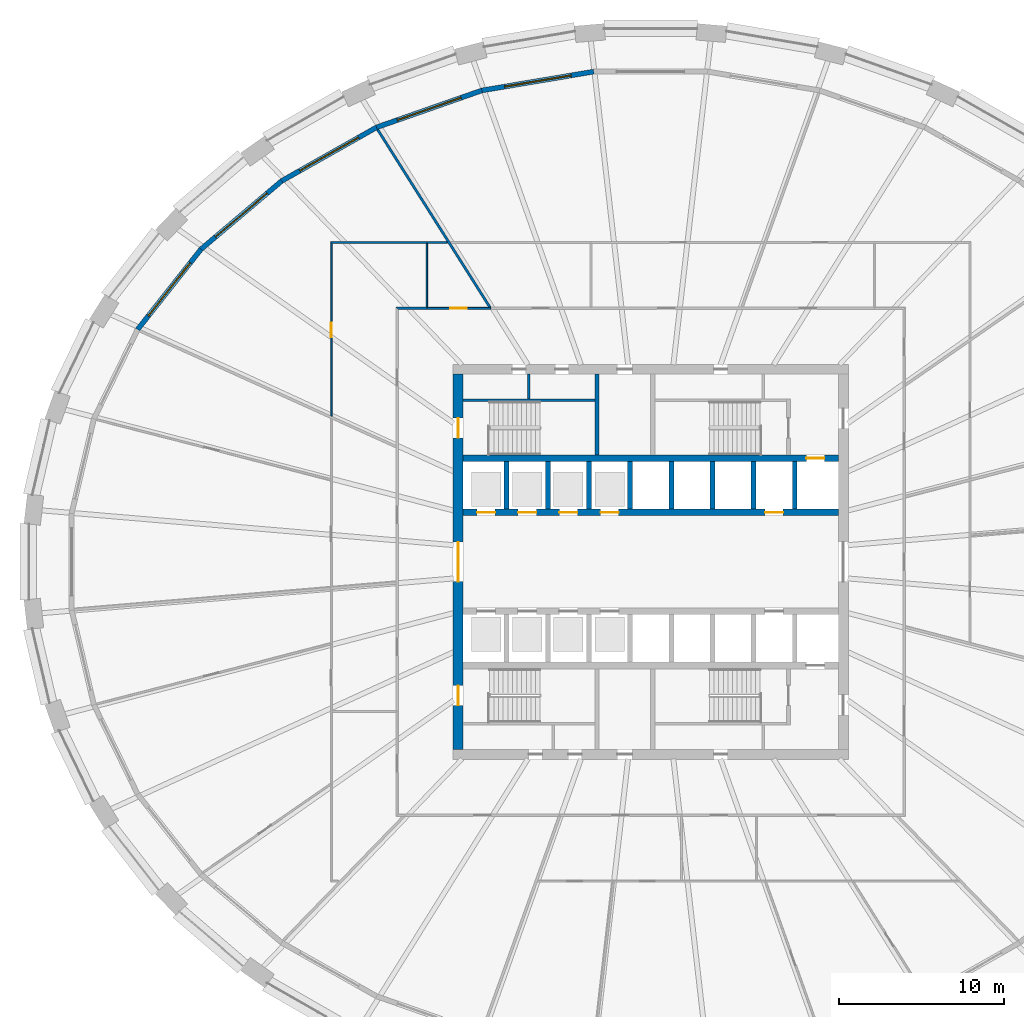
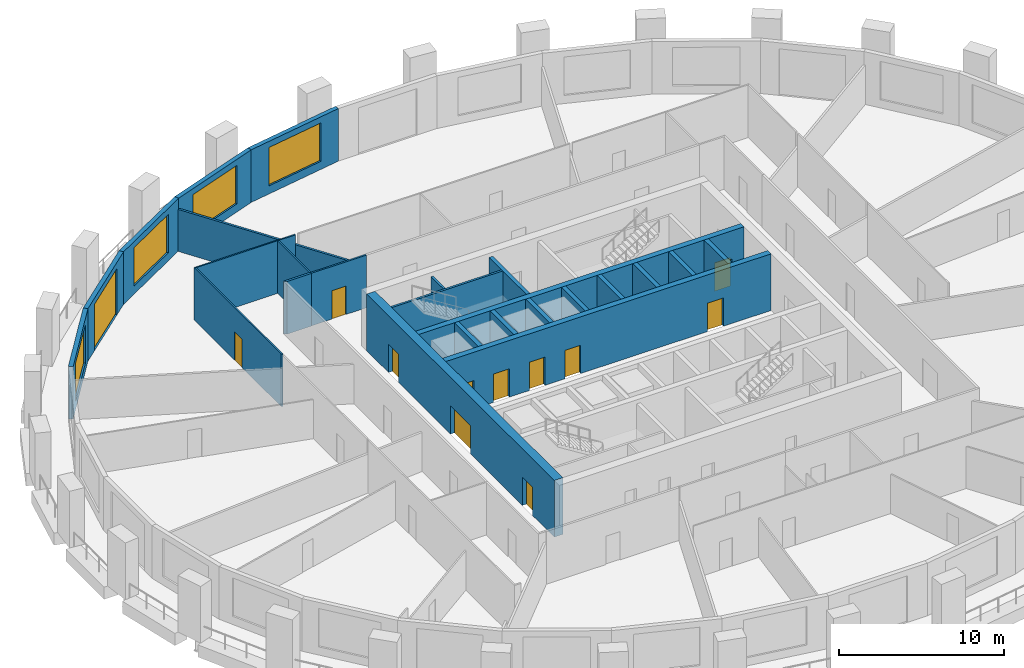
# One storey, part 6 of 12: 25 walls, 12 doors, 4 windows, 16 openings.
"""IFC4 building model written with IfcOpenShell, lengths in metres."""

from ifc_helpers import new_model, si_unit, direction, frame, frame_2d, origin, place, context, subcontext, project, spatial, polyline, rectangle, outline, extrude, material, layer, layer_set, type_object, element, fill, save


model = new_model("IFC4")

# Units and contexts
model_context = context("Model", 3, precision=1e-05, world=origin(), true_north=direction((0.0, 1.0)))
body_context = subcontext(model_context, "Body", "Model", "MODEL_VIEW")
ifc_project = project(units=[si_unit("LENGTHUNIT", "METRE"), si_unit("AREAUNIT", "SQUARE_METRE"), si_unit("VOLUMEUNIT", "CUBIC_METRE"), si_unit("PLANEANGLEUNIT", "RADIAN"), si_unit("MASSUNIT", "GRAM", prefix="KILO")], contexts=[model_context])

# Site, building, storey
site_placement = place(None, origin())
site = spatial("IfcSite", under=ifc_project, at=site_placement, CompositionType="ELEMENT")
building_placement = place(site_placement, origin())
building = spatial("IfcBuilding", under=site, at=building_placement, Name="Halqa Exchange Tower", CompositionType="ELEMENT")
storey_placement = place(building_placement, frame((0.0, 0.0, 31.89990234375)))
storey = spatial("IfcBuildingStorey", under=building, at=storey_placement, Name="L06", CompositionType="ELEMENT", Elevation=31.89990234375)

# Walls
ifc_material_1 = material(Name="Fire-rated gypsum board")
ifc_layer_1 = layer(ifc_material_1, 0.14990234375)
ifc_layer_set_1 = layer_set([ifc_layer_1], Name="Fire-rated gypsum board")
wall_type_1 = type_object("IfcWallType", Name="Fire partition EI 60 150", PredefinedType="PARTITIONING", material=ifc_layer_set_1)
wall_1_placement = place(storey_placement, frame((-16.59228515625, 26.260498046875, 0.0), z_axis=(0.0, 0.0, 1.0), x_axis=(0.534158681269, -0.845384234077, 0.0)))
element("IfcWall", 1, at=wall_1_placement, inside=storey, type_object=wall_type_1, Name="L06-PWL-013", PredefinedType="PARTITIONING", context=body_context, shape_type="SweptSolid", body=[
    extrude(outline(polyline([(0.0, -0.074951171875), (1.601806640625, -0.074951171875), (3.20361328125, -0.074951171875), (4.80517578125, -0.074951171875), (6.406982421875, -0.074951171875), (8.0087890625, -0.074951171875), (8.01025390625, -0.07275390625), (8.013916015625, -0.074951171875), (9.58544921875, -0.074951171875), (11.156982421875, -0.074951171875), (12.728515625, -0.074951171875), (12.78173828125, 0.009521484375), (12.78173828125, 0.009521484375), (12.796142578125, 0.031982421875), (12.783447265625, 0.0400390625), (12.805419921875, 0.074951171875), (12.805419921875, 0.074951171875), (11.277587890625, 0.074951171875), (9.749755859375, 0.074951171875), (8.2216796875, 0.074951171875), (8.22021484375, 0.072509765625), (8.216552734375, 0.074951171875), (6.577392578125, 0.074951171875), (4.9384765625, 0.074951171875), (3.29931640625, 0.074951171875), (1.660400390625, 0.074951171875), (0.021240234375, 0.074951171875), (0.00341796875, -0.003173828125), (0.0, -0.0703125), (0.0, -0.074951171875)])), origin(), (0.0, 0.0, 1.0), 3.110107421875),
])
wall_2_placement = place(storey_placement, frame((-15.47509765625, 15.39990234375, 0.0), z_axis=(0.0, 0.0, 1.0), x_axis=(1.0, 0.0, 0.0)))
element("IfcWall", 2, at=wall_2_placement, inside=storey, type_object=wall_type_1, Name="L06-PWL-017", PredefinedType="PARTITIONING", context=body_context, shape_type="SweptSolid", body=[
    extrude(outline(polyline([(1.875, 0.074951171875), (0.000244140625, 0.074951171875), (0.150146484375, -0.074951171875), (1.875, -0.074951171875), (1.875, 0.074951171875)])), origin(), (0.0, 0.0, 1.0), 3.900146484375),
])

# Wall, opening, door
ifc_material_2 = material(Name="Fire-rated glazing", Category="glass")
ifc_layer_2 = layer(ifc_material_2, 0.1201171875)
ifc_layer_set_2 = layer_set([ifc_layer_2], Name="Fire-rated glazing")
wall_type_2 = type_object("IfcWallType", Name="Glazed fire partition EI 60 120", PredefinedType="PARTITIONING", material=ifc_layer_set_2)
wall_3_placement = place(storey_placement, frame((-13.60009765625, 15.39990234375, 0.0), z_axis=(0.0, 0.0, 1.0), x_axis=(1.0, 0.0, 0.0)))
wall_3 = element("IfcWall", 3, at=wall_3_placement, inside=storey, type_object=wall_type_2, Name="L06-PWL-019", PredefinedType="PARTITIONING", context=body_context, shape_type="SweptSolid", body=[
    extrude(rectangle(XDim=3.8701171875, YDim=0.1201171875, at=frame_2d((1.93505859375, 0.0))), origin(), (0.0, 0.0, 1.0), 3.900146484375),
])
opening_1_placement = place(wall_3_placement, frame((1.43505859375, 0.0, 0.0)))
opening_1 = element("IfcOpeningElement", 4, at=opening_1_placement, cuts=wall_3, Name="Opening 01-09", PredefinedType="OPENING", context=body_context, shape_type="SweptSolid", body=[
    extrude(rectangle(XDim=1.0, YDim=2.10009765625, at=frame_2d((0.5, 1.050048828125))), frame((0.0, 0.072021484375, 0.0), z_axis=(0.0, -1.0, 0.0), x_axis=(1.0, 0.0, 0.0)), (0.0, 0.0, 1.0), 0.14404296875),
])
ifc_material_3 = material(Name="Steel fire door leaf", Category="steel")
door_type_1 = type_object("IfcDoorType", Name="Fire door FD30S 1000 x 2100", OperationType="SINGLE_SWING_LEFT", PredefinedType="DOOR", material=ifc_material_3)
door_1_placement = place(opening_1_placement, origin())
door_1 = element("IfcDoor", 5, at=door_1_placement, inside=storey, type_object=door_type_1, Name="L06-IDR-009", OperationType="SINGLE_SWING_LEFT", OverallHeight=2.10009765625, OverallWidth=1.0, PredefinedType="DOOR", context=body_context, shape_type="SweptSolid", body=[
    extrude(rectangle(XDim=1.0, YDim=2.10009765625, at=frame_2d((0.5, 1.050048828125))), frame((0.0, 0.02490234375, 0.0), z_axis=(0.0, -1.0, 0.0), x_axis=(1.0, 0.0, 0.0)), (0.0, 0.0, 1.0), 0.050048828125),
])
fill(opening_1, door_1)

ifc_material_4 = material(Name="Gypsum board")
ifc_layer_3 = layer(ifc_material_4, 0.10009765625)
ifc_layer_set_3 = layer_set([ifc_layer_3], Name="Gypsum board")
wall_type_3 = type_object("IfcWallType", Name="Partition 100 gypsum", PredefinedType="PARTITIONING", material=ifc_layer_set_3)
wall_4_placement = place(storey_placement, frame((-19.39990234375, 8.8291015625, 0.0), z_axis=(0.0, 0.0, 1.0), x_axis=(0.0, 1.0, 0.0)))
wall_4 = element("IfcWall", 6, at=wall_4_placement, inside=storey, type_object=wall_type_3, Name="L06-PWL-010", PredefinedType="PARTITIONING", context=body_context, shape_type="SweptSolid", body=[
    extrude(outline(polyline([(0.0, -0.050048828125), (1.75341796875, -0.050048828125), (3.5068359375, -0.050048828125), (5.26025390625, -0.050048828125), (7.013916015625, -0.050048828125), (8.767333984375, -0.050048828125), (10.520751953125, -0.050048828125), (10.52099609375, -0.0498046875), (10.620849609375, 0.050048828125), (8.858154296875, 0.050048828125), (7.095458984375, 0.050048828125), (5.332763671875, 0.050048828125), (3.570068359375, 0.050048828125), (1.8076171875, 0.050048828125), (0.044921875, 0.050048828125), (0.0, -0.049072265625), (0.0, -0.050048828125)])), origin(), (0.0, 0.0, 1.0), 3.900146484375),
])
opening_2_placement = place(wall_4_placement, frame((4.805908203125, 0.0, 0.0)))
opening_2 = element("IfcOpeningElement", 7, at=opening_2_placement, cuts=wall_4, Name="Opening 01-22", PredefinedType="OPENING", context=body_context, shape_type="SweptSolid", body=[
    extrude(rectangle(XDim=0.89990234375, YDim=2.10009765625, at=frame_2d((0.449951171875, 1.050048828125))), frame((0.0, 0.06201171875, 0.0), z_axis=(0.0, -1.0, 0.0), x_axis=(1.0, 0.0, 0.0)), (0.0, 0.0, 1.0), 0.1240234375),
])
ifc_material_5 = material(Name="Timber door leaf", Category="wood")
door_type_2 = type_object("IfcDoorType", Name="Door 900 x 2100", OperationType="SINGLE_SWING_LEFT", PredefinedType="DOOR", material=ifc_material_5)
door_2_placement = place(opening_2_placement, frame((0.89990234375, 0.0, 0.0), z_axis=(0.0, 0.0, 1.0), x_axis=(-1.0, 0.0, 0.0)))
door_2 = element("IfcDoor", 8, at=door_2_placement, inside=storey, type_object=door_type_2, Name="L06-IDR-022", OperationType="SINGLE_SWING_RIGHT", OverallHeight=2.10009765625, OverallWidth=0.89990234375, PredefinedType="DOOR", context=body_context, shape_type="SweptSolid", body=[
    extrude(rectangle(XDim=0.89990234375, YDim=2.10009765625, at=frame_2d((0.449951171875, 1.050048828125))), frame((0.0, 0.02490234375, 0.0), z_axis=(0.0, -1.0, 0.0), x_axis=(1.0, 0.0, 0.0)), (0.0, 0.0, 1.0), 0.050048828125),
])
fill(opening_2, door_2)

# Walls
wall_5_placement = place(storey_placement, frame((-19.449951171875, 19.39990234375, 0.0), z_axis=(0.0, 0.0, 1.0), x_axis=(1.0, 0.0, 0.0)))
element("IfcWall", 9, at=wall_5_placement, inside=storey, type_object=wall_type_3, Name="L06-PWL-011", PredefinedType="PARTITIONING", context=body_context, shape_type="SweptSolid", body=[
    extrude(outline(polyline([(7.074951171875, 0.050048828125), (5.30615234375, 0.050048828125), (3.53759765625, 0.050048828125), (1.768798828125, 0.050048828125), (0.0, 0.050048828125), (0.10009765625, -0.050048828125), (1.84375, -0.050048828125), (3.58740234375, -0.050048828125), (5.331298828125, -0.050048828125), (7.074951171875, -0.050048828125), (7.074951171875, 0.050048828125)])), origin(), (0.0, 0.0, 1.0), 3.900146484375),
])
wall_6_placement = place(storey_placement, frame((-13.60009765625, 19.35009765625, 0.0), z_axis=(0.0, 0.0, 1.0), x_axis=(0.0, -1.0, 0.0)))
element("IfcWall", 10, at=wall_6_placement, inside=storey, type_object=wall_type_3, Name="L06-PWL-020", PredefinedType="PARTITIONING", context=body_context, shape_type="SweptSolid", body=[
    extrude(outline(polyline([(0.0, -0.050048828125), (1.9375, -0.050048828125), (3.875, -0.050048828125), (3.875, 0.0), (3.8896484375, 0.0), (3.8896484375, 0.050048828125), (1.94482421875, 0.050048828125), (0.0, 0.050048828125), (0.0, -0.050048828125)])), origin(), (0.0, 0.0, 1.0), 3.900146484375),
])
ifc_layer_4 = layer(ifc_material_4, 0.14990234375)
ifc_layer_set_4 = layer_set([ifc_layer_4], Name="Gypsum board")
wall_type_4 = type_object("IfcWallType", Name="Penthouse riser wall 150 gypsum", PredefinedType="PARTITIONING", material=ifc_layer_set_4)
wall_7_placement = place(storey_placement, frame((-7.39990234375, 9.89990234375, 0.0), z_axis=(0.0, 0.0, 1.0), x_axis=(0.0, 1.0, 0.0)))
element("IfcWall", 11, at=wall_7_placement, inside=storey, type_object=wall_type_4, Name="Partition W7.400 N", PredefinedType="PARTITIONING", context=body_context, shape_type="SweptSolid", body=[
    extrude(rectangle(XDim=1.5, YDim=0.14990234375, at=frame_2d((0.75, 0.0))), origin(), (0.0, 0.0, 1.0), 3.900146484375),
])
ifc_material_6 = material(Name="Concrete C60/75", Category="concrete")
ifc_layer_5 = layer(ifc_material_6, 0.300048828125)
ifc_layer_set_5 = layer_set([ifc_layer_5], Name="Concrete C60/75")
wall_type_5 = type_object("IfcWallType", Name="RC core wall 300", PredefinedType="SHEAR", material=ifc_layer_set_5)
for number, where, z_axis, x_axis, name in (
    (12, (-8.75, 3.199951171875, 0.0), (0.0, 0.0, 1.0), (0.0, 1.0, 0.0), "Shaft divider N1"),
    (13, (-6.25, 3.199951171875, 0.0), (0.0, 0.0, 1.0), (0.0, 1.0, 0.0), "Shaft divider N2"),
    (14, (-3.75, 3.199951171875, 0.0), (0.0, 0.0, 1.0), (0.0, 1.0, 0.0), "Shaft divider N3"),
    (15, (-1.25, 3.199951171875, 0.0), (0.0, 0.0, 1.0), (0.0, 1.0, 0.0), "Shaft divider N4"),
    (16, (1.25, 3.199951171875, 0.0), (0.0, 0.0, 1.0), (0.0, 1.0, 0.0), "Shaft divider N5"),
    (17, (3.75, 3.199951171875, 0.0), (0.0, 0.0, 1.0), (0.0, 1.0, 0.0), "Shaft divider N6"),
    (18, (6.25, 3.199951171875, 0.0), (0.0, 0.0, 1.0), (0.0, 1.0, 0.0), "Shaft divider N7"),
    (19, (8.75, 3.199951171875, 0.0), (0.0, 0.0, 1.0), (0.0, 1.0, 0.0), "Shaft divider N8"),
):
    element("IfcWall", number, at=place(storey_placement, frame(where, z_axis=z_axis, x_axis=x_axis)), inside=storey, type_object=wall_type_5, Name=name, PredefinedType="SHEAR", context=body_context, shape_type="SweptSolid", body=[
        extrude(rectangle(XDim=2.900146484375, YDim=0.300048828125, at=frame_2d((1.4501953125, 0.0))), origin(), (0.0, 0.0, 1.0), 4.2001953125),
    ])

# Wall, openings, doors
ifc_material_7 = material(Name="Concrete C80/95", Category="concrete")
ifc_layer_6 = layer(ifc_material_7, 0.39990234375)
ifc_layer_set_6 = layer_set([ifc_layer_6], Name="Concrete C80/95")
wall_type_6 = type_object("IfcWallType", Name="RC core wall 400 C80/95", PredefinedType="SHEAR", material=ifc_layer_set_6)
wall_8_placement = place(storey_placement, frame((-11.39990234375, 3.0, 0.0), z_axis=(0.0, 0.0, 1.0), x_axis=(1.0, 0.0, 0.0)))
wall_8 = element("IfcWall", 20, at=wall_8_placement, inside=storey, type_object=wall_type_6, Name="Lift row front wall N", PredefinedType="SHEAR", context=body_context, shape_type="SweptSolid", body=[
    extrude(rectangle(XDim=22.7998046875, YDim=0.39990234375, at=frame_2d((11.39990234375, 0.0))), origin(), (0.0, 0.0, 1.0), 4.2001953125),
])
opening_3_placement = place(wall_8_placement, frame((0.85009765625, 0.0, 0.0)))
opening_3 = element("IfcOpeningElement", 21, at=opening_3_placement, cuts=wall_8, Name="Opening LD-LR1-T01", PredefinedType="OPENING", context=body_context, shape_type="SweptSolid", body=[
    extrude(rectangle(XDim=1.10009765625, YDim=2.10009765625, at=frame_2d((0.550048828125, 1.050048828125))), frame((0.0, 0.2119140625, 0.0), z_axis=(0.0, -1.0, 0.0), x_axis=(1.0, 0.0, 0.0)), (0.0, 0.0, 1.0), 0.423828125),
])
opening_4_placement = place(wall_8_placement, frame((3.35009765625, 0.0, 0.0)))
opening_4 = element("IfcOpeningElement", 22, at=opening_4_placement, cuts=wall_8, Name="Opening LD-LR2-T01", PredefinedType="OPENING", context=body_context, shape_type="SweptSolid", body=[
    extrude(rectangle(XDim=1.10009765625, YDim=2.10009765625, at=frame_2d((0.550048828125, 1.050048828125))), frame((0.0, 0.2119140625, 0.0), z_axis=(0.0, -1.0, 0.0), x_axis=(1.0, 0.0, 0.0)), (0.0, 0.0, 1.0), 0.423828125),
])
opening_5_placement = place(wall_8_placement, frame((5.85009765625, 0.0, 0.0)))
opening_5 = element("IfcOpeningElement", 23, at=opening_5_placement, cuts=wall_8, Name="Opening LD-LR3-T01", PredefinedType="OPENING", context=body_context, shape_type="SweptSolid", body=[
    extrude(rectangle(XDim=1.10009765625, YDim=2.10009765625, at=frame_2d((0.550048828125, 1.050048828125))), frame((0.0, 0.2119140625, 0.0), z_axis=(0.0, -1.0, 0.0), x_axis=(1.0, 0.0, 0.0)), (0.0, 0.0, 1.0), 0.423828125),
])
opening_6_placement = place(wall_8_placement, frame((8.35009765625, 0.0, 0.0)))
opening_6 = element("IfcOpeningElement", 24, at=opening_6_placement, cuts=wall_8, Name="Opening LD-LR4-T01", PredefinedType="OPENING", context=body_context, shape_type="SweptSolid", body=[
    extrude(rectangle(XDim=1.10009765625, YDim=2.10009765625, at=frame_2d((0.550048828125, 1.050048828125))), frame((0.0, 0.2119140625, 0.0), z_axis=(0.0, -1.0, 0.0), x_axis=(1.0, 0.0, 0.0)), (0.0, 0.0, 1.0), 0.423828125),
])
opening_7_placement = place(wall_8_placement, frame((18.35009765625, 0.0, 0.0)))
opening_7 = element("IfcOpeningElement", 25, at=opening_7_placement, cuts=wall_8, Name="Opening LD-SV1-T01", PredefinedType="OPENING", context=body_context, shape_type="SweptSolid", body=[
    extrude(rectangle(XDim=1.10009765625, YDim=2.10009765625, at=frame_2d((0.550048828125, 1.050048828125))), frame((0.0, 0.2119140625, 0.0), z_axis=(0.0, -1.0, 0.0), x_axis=(1.0, 0.0, 0.0)), (0.0, 0.0, 1.0), 0.423828125),
])
ifc_material_8 = material(Name="Stainless steel", Category="steel")
door_type_3 = type_object("IfcDoorType", Name="Lift landing door 1100 x 2100", OperationType="SLIDING_TO_LEFT", PredefinedType="DOOR", material=ifc_material_8)
door_3_placement = place(opening_3_placement, origin())
door_3 = element("IfcDoor", 26, at=door_3_placement, inside=storey, type_object=door_type_3, Name="Lift landing door LR1", OperationType="SLIDING_TO_LEFT", OverallHeight=2.10009765625, OverallWidth=1.10009765625, PredefinedType="DOOR", context=body_context, shape_type="SweptSolid", body=[
    extrude(rectangle(XDim=1.10009765625, YDim=2.10009765625, at=frame_2d((0.550048828125, 1.050048828125))), frame((0.0, 0.02490234375, 0.0), z_axis=(0.0, -1.0, 0.0), x_axis=(1.0, 0.0, 0.0)), (0.0, 0.0, 1.0), 0.050048828125),
])
fill(opening_3, door_3)
door_4_placement = place(opening_4_placement, origin())
door_4 = element("IfcDoor", 27, at=door_4_placement, inside=storey, type_object=door_type_3, Name="Lift landing door LR2", OperationType="SLIDING_TO_LEFT", OverallHeight=2.10009765625, OverallWidth=1.10009765625, PredefinedType="DOOR", context=body_context, shape_type="SweptSolid", body=[
    extrude(rectangle(XDim=1.10009765625, YDim=2.10009765625, at=frame_2d((0.550048828125, 1.050048828125))), frame((0.0, 0.02490234375, 0.0), z_axis=(0.0, -1.0, 0.0), x_axis=(1.0, 0.0, 0.0)), (0.0, 0.0, 1.0), 0.050048828125),
])
fill(opening_4, door_4)
door_5_placement = place(opening_5_placement, origin())
door_5 = element("IfcDoor", 28, at=door_5_placement, inside=storey, type_object=door_type_3, Name="Lift landing door LR3", OperationType="SLIDING_TO_LEFT", OverallHeight=2.10009765625, OverallWidth=1.10009765625, PredefinedType="DOOR", context=body_context, shape_type="SweptSolid", body=[
    extrude(rectangle(XDim=1.10009765625, YDim=2.10009765625, at=frame_2d((0.550048828125, 1.050048828125))), frame((0.0, 0.02490234375, 0.0), z_axis=(0.0, -1.0, 0.0), x_axis=(1.0, 0.0, 0.0)), (0.0, 0.0, 1.0), 0.050048828125),
])
fill(opening_5, door_5)
door_6_placement = place(opening_6_placement, origin())
door_6 = element("IfcDoor", 29, at=door_6_placement, inside=storey, type_object=door_type_3, Name="Lift landing door LR4", OperationType="SLIDING_TO_LEFT", OverallHeight=2.10009765625, OverallWidth=1.10009765625, PredefinedType="DOOR", context=body_context, shape_type="SweptSolid", body=[
    extrude(rectangle(XDim=1.10009765625, YDim=2.10009765625, at=frame_2d((0.550048828125, 1.050048828125))), frame((0.0, 0.02490234375, 0.0), z_axis=(0.0, -1.0, 0.0), x_axis=(1.0, 0.0, 0.0)), (0.0, 0.0, 1.0), 0.050048828125),
])
fill(opening_6, door_6)
door_7_placement = place(opening_7_placement, origin())
door_7 = element("IfcDoor", 30, at=door_7_placement, inside=storey, type_object=door_type_3, Name="Lift landing door SV1", OperationType="SLIDING_TO_LEFT", OverallHeight=2.10009765625, OverallWidth=1.10009765625, PredefinedType="DOOR", context=body_context, shape_type="SweptSolid", body=[
    extrude(rectangle(XDim=1.10009765625, YDim=2.10009765625, at=frame_2d((0.550048828125, 1.050048828125))), frame((0.0, 0.02490234375, 0.0), z_axis=(0.0, -1.0, 0.0), x_axis=(1.0, 0.0, 0.0)), (0.0, 0.0, 1.0), 0.050048828125),
])
fill(opening_7, door_7)

# Wall, opening, door
wall_9_placement = place(storey_placement, frame((-11.39990234375, 6.300048828125, 0.0), z_axis=(0.0, 0.0, 1.0), x_axis=(1.0, 0.0, 0.0)))
wall_9 = element("IfcWall", 31, at=wall_9_placement, inside=storey, type_object=wall_type_6, Name="Lift row back wall N", PredefinedType="SHEAR", context=body_context, shape_type="SweptSolid", body=[
    extrude(rectangle(XDim=22.7998046875, YDim=0.39990234375, at=frame_2d((11.39990234375, 0.0))), origin(), (0.0, 0.0, 1.0), 4.2001953125),
])
opening_8_placement = place(wall_9_placement, frame((20.85009765625, 0.0, 0.0)))
opening_8 = element("IfcOpeningElement", 32, at=opening_8_placement, cuts=wall_9, Name="Opening LD-FF1-T01", PredefinedType="OPENING", context=body_context, shape_type="SweptSolid", body=[
    extrude(rectangle(XDim=1.10009765625, YDim=2.10009765625, at=frame_2d((0.550048828125, 1.050048828125))), frame((0.0, 0.2119140625, 0.0), z_axis=(0.0, -1.0, 0.0), x_axis=(1.0, 0.0, 0.0)), (0.0, 0.0, 1.0), 0.423828125),
])
door_8_placement = place(opening_8_placement, origin())
door_8 = element("IfcDoor", 33, at=door_8_placement, inside=storey, type_object=door_type_3, Name="Lift landing door FF1", OperationType="SLIDING_TO_LEFT", OverallHeight=2.10009765625, OverallWidth=1.10009765625, PredefinedType="DOOR", context=body_context, shape_type="SweptSolid", body=[
    extrude(rectangle(XDim=1.10009765625, YDim=2.10009765625, at=frame_2d((0.550048828125, 1.050048828125))), frame((0.0, 0.02490234375, 0.0), z_axis=(0.0, -1.0, 0.0), x_axis=(1.0, 0.0, 0.0)), (0.0, 0.0, 1.0), 0.050048828125),
])
fill(opening_8, door_8)

# Wall, openings, doors
ifc_layer_7 = layer(ifc_material_7, 0.60009765625)
ifc_layer_set_7 = layer_set([ifc_layer_7], Name="Concrete C80/95")
wall_type_7 = type_object("IfcWallType", Name="RC core wall 600 C80/95", PredefinedType="SHEAR", material=ifc_layer_set_7)
wall_10_placement = place(storey_placement, frame((-11.699951171875, -11.39990234375, 0.0), z_axis=(0.0, 0.0, 1.0), x_axis=(0.0, 1.0, 0.0)))
wall_10 = element("IfcWall", 34, at=wall_10_placement, inside=storey, type_object=wall_type_7, Name="Core wall west", PredefinedType="SHEAR", context=body_context, shape_type="SweptSolid", body=[
    extrude(rectangle(XDim=22.7998046875, YDim=0.60009765625, at=frame_2d((11.39990234375, 0.0))), origin(), (0.0, 0.0, 1.0), 4.2001953125),
])
opening_9_placement = place(wall_10_placement, frame((10.199951171875, 0.0, 0.0)))
opening_9 = element("IfcOpeningElement", 35, at=opening_9_placement, cuts=wall_10, Name="Opening T01-C13", PredefinedType="OPENING", context=body_context, shape_type="SweptSolid", body=[
    extrude(rectangle(XDim=2.39990234375, YDim=2.10009765625, at=frame_2d((1.199951171875, 1.050048828125))), frame((0.0, 0.31201171875, 0.0), z_axis=(0.0, -1.0, 0.0), x_axis=(1.0, 0.0, 0.0)), (0.0, 0.0, 1.0), 0.6240234375),
])
opening_10_placement = place(wall_10_placement, frame((18.925048828125, 0.0, 0.0)))
opening_10 = element("IfcOpeningElement", 36, at=opening_10_placement, cuts=wall_10, Name="Opening T01-C15", PredefinedType="OPENING", context=body_context, shape_type="SweptSolid", body=[
    extrude(rectangle(XDim=1.199951171875, YDim=2.10009765625, at=frame_2d((0.60009765625, 1.050048828125))), frame((0.0, 0.31201171875, 0.0), z_axis=(0.0, -1.0, 0.0), x_axis=(1.0, 0.0, 0.0)), (0.0, 0.0, 1.0), 0.6240234375),
])
opening_11_placement = place(wall_10_placement, frame((2.675048828125, 0.0, 0.0)))
opening_11 = element("IfcOpeningElement", 37, at=opening_11_placement, cuts=wall_10, Name="Opening T01-C17", PredefinedType="OPENING", context=body_context, shape_type="SweptSolid", body=[
    extrude(rectangle(XDim=1.199951171875, YDim=2.10009765625, at=frame_2d((0.60009765625, 1.050048828125))), frame((0.0, 0.31201171875, 0.0), z_axis=(0.0, -1.0, 0.0), x_axis=(1.0, 0.0, 0.0)), (0.0, 0.0, 1.0), 0.6240234375),
])
door_type_4 = type_object("IfcDoorType", Name="Lobby double door FD60 2400 x 2100", OperationType="DOUBLE_DOOR_SINGLE_SWING", PredefinedType="DOOR", material=ifc_material_3)
door_9_placement = place(opening_9_placement, frame((2.39990234375, 0.0, 0.0), z_axis=(0.0, 0.0, 1.0), x_axis=(-1.0, 0.0, 0.0)))
door_9 = element("IfcDoor", 38, at=door_9_placement, inside=storey, type_object=door_type_4, Name="Lift lobby double door", OperationType="DOUBLE_DOOR_SINGLE_SWING", OverallHeight=2.10009765625, OverallWidth=2.39990234375, PredefinedType="DOOR", context=body_context, shape_type="SweptSolid", body=[
    extrude(rectangle(XDim=2.39990234375, YDim=2.10009765625, at=frame_2d((1.199951171875, 1.050048828125))), frame((0.0, 0.02490234375, 0.0), z_axis=(0.0, -1.0, 0.0), x_axis=(1.0, 0.0, 0.0)), (0.0, 0.0, 1.0), 0.050048828125),
])
fill(opening_9, door_9)
door_type_5 = type_object("IfcDoorType", Name="Stair door FD90 1200 x 2100", OperationType="SINGLE_SWING_LEFT", PredefinedType="DOOR", material=ifc_material_3)
door_10_placement = place(opening_10_placement, frame((1.199951171875, 0.0, 0.0), z_axis=(0.0, 0.0, 1.0), x_axis=(-1.0, 0.0, 0.0)))
door_10 = element("IfcDoor", 39, at=door_10_placement, inside=storey, type_object=door_type_5, Name="Stair door ST1", OperationType="SINGLE_SWING_LEFT", OverallHeight=2.10009765625, OverallWidth=1.199951171875, PredefinedType="DOOR", context=body_context, shape_type="SweptSolid", body=[
    extrude(rectangle(XDim=1.199951171875, YDim=2.10009765625, at=frame_2d((0.60009765625, 1.050048828125))), frame((0.0, 0.02490234375, 0.0), z_axis=(0.0, -1.0, 0.0), x_axis=(1.0, 0.0, 0.0)), (0.0, 0.0, 1.0), 0.050048828125),
])
fill(opening_10, door_10)
door_11_placement = place(opening_11_placement, frame((1.199951171875, 0.0, 0.0), z_axis=(0.0, 0.0, 1.0), x_axis=(-1.0, 0.0, 0.0)))
door_11 = element("IfcDoor", 40, at=door_11_placement, inside=storey, type_object=door_type_5, Name="Stair door ST3", OperationType="SINGLE_SWING_LEFT", OverallHeight=2.10009765625, OverallWidth=1.199951171875, PredefinedType="DOOR", context=body_context, shape_type="SweptSolid", body=[
    extrude(rectangle(XDim=1.199951171875, YDim=2.10009765625, at=frame_2d((0.60009765625, 1.050048828125))), frame((0.0, 0.02490234375, 0.0), z_axis=(0.0, -1.0, 0.0), x_axis=(1.0, 0.0, 0.0)), (0.0, 0.0, 1.0), 0.050048828125),
])
fill(opening_11, door_11)

# Walls
ifc_material_9 = material(Name="Concrete C30/37", Category="concrete")
ifc_layer_8 = layer(ifc_material_9, 0.14990234375)
ifc_layer_set_8 = layer_set([ifc_layer_8], Name="Concrete C30/37")
wall_type_8 = type_object("IfcWallType", Name="RC stair wall 150 C30/37", PredefinedType="SHEAR", material=ifc_layer_set_8)
wall_11_placement = place(storey_placement, frame((-11.39990234375, 9.824951171875, 0.0), z_axis=(0.0, 0.0, 1.0), x_axis=(1.0, 0.0, 0.0)))
element("IfcWall", 41, at=wall_11_placement, inside=storey, type_object=wall_type_8, Name="Stair ST1 north wall N", PredefinedType="SHEAR", context=body_context, shape_type="SweptSolid", body=[
    extrude(rectangle(XDim=8.0, YDim=0.14990234375, at=frame_2d((4.0, 0.0))), origin(), (0.0, 0.0, 1.0), 3.900146484375),
])
ifc_layer_9 = layer(ifc_material_9, 0.25)
ifc_layer_set_9 = layer_set([ifc_layer_9], Name="Concrete C30/37")
wall_type_9 = type_object("IfcWallType", Name="RC stair wall 250 C30/37", PredefinedType="SHEAR", material=ifc_layer_set_9)
wall_12_placement = place(storey_placement, frame((-3.27490234375, 6.5, 0.0), z_axis=(0.0, 0.0, 1.0), x_axis=(0.0, 1.0, 0.0)))
element("IfcWall", 42, at=wall_12_placement, inside=storey, type_object=wall_type_9, Name="Stair ST1 east wall N", PredefinedType="SHEAR", context=body_context, shape_type="SweptSolid", body=[
    extrude(rectangle(XDim=4.89990234375, YDim=0.25, at=frame_2d((2.449951171875, 0.0))), origin(), (0.0, 0.0, 1.0), 3.900146484375),
])

# Wall, opening, window
ifc_material_10 = material(Name="Limestone cladding", Category="masonry")
ifc_layer_10 = layer(ifc_material_10, 0.0400390625)
ifc_material_11 = material(Name="Ventilated cavity")
ifc_layer_11 = layer(ifc_material_11, 0.030029296875, ventilated=True)
ifc_material_12 = material(Name="Mineral wool insulation")
ifc_layer_12 = layer(ifc_material_12, 0.10009765625)
ifc_layer_13 = layer(ifc_material_9, 0.10009765625)
ifc_material_13 = material(Name="Internal plaster")
ifc_layer_14 = layer(ifc_material_13, 0.030029296875)
ifc_layer_set_10 = layer_set([ifc_layer_10, ifc_layer_11, ifc_layer_12, ifc_layer_13, ifc_layer_14], Name="Stone-faced insulated wall 300")
wall_type_10 = type_object("IfcWallType", Name="Stone-faced insulated wall 300", PredefinedType="STANDARD", material=ifc_layer_set_10)
wall_13_placement = place(storey_placement, frame((-3.462646484375, 29.778076171875, 0.0), z_axis=(0.0, 0.0, 1.0), x_axis=(-0.986141805867, -0.165904607291, 0.0)))
wall_13 = element("IfcWall", 43, at=wall_13_placement, inside=storey, type_object=wall_type_10, Name="Glass-line wall 9", PredefinedType="STANDARD", context=body_context, shape_type="SweptSolid", body=[
    extrude(outline(polyline([(-0.012451171875, -0.14990234375), (6.901123046875, -0.14990234375), (6.875732421875, 0.14990234375), (0.012451171875, 0.14990234375), (-0.012451171875, -0.14990234375)])), origin(), (0.0, 0.0, 1.0), 3.900146484375),
])
opening_12_placement = place(wall_13_placement, frame((1.39404296875, 0.0, 0.60009765625)))
opening_12 = element("IfcOpeningElement", 44, at=opening_12_placement, cuts=wall_13, Name="Opening W-F1-09", PredefinedType="OPENING", context=body_context, shape_type="SweptSolid", body=[
    extrude(rectangle(XDim=4.10009765625, YDim=2.85009765625, at=frame_2d((2.050048828125, 1.425048828125))), frame((0.0, 0.162109375, 0.0), z_axis=(0.0, -1.0, 0.0), x_axis=(1.0, 0.0, 0.0)), (0.0, 0.0, 1.0), 0.323974609375),
])
ifc_material_14 = material(Name="Clear low-emissivity glass in aluminium frame", Category="aluminium")
window_type = type_object("IfcWindowType", Name="Fixed clear glazed window 4100 x 2850", PartitioningType="TRIPLE_PANEL_VERTICAL", PredefinedType="WINDOW", material=ifc_material_14)
window_1_placement = place(opening_12_placement, origin())
window_1 = element("IfcWindow", 45, at=window_1_placement, inside=storey, type_object=window_type, Name="Window 1", OverallHeight=2.85009765625, OverallWidth=4.10009765625, PartitioningType="TRIPLE_PANEL_VERTICAL", PredefinedType="WINDOW", context=body_context, shape_type="SweptSolid", body=[
    extrude(rectangle(XDim=4.10009765625, YDim=2.85009765625, at=frame_2d((2.050048828125, 1.425048828125))), frame((0.0, 0.030029296875, 0.0), z_axis=(0.0, -1.0, 0.0), x_axis=(1.0, 0.0, 0.0)), (0.0, 0.0, 1.0), 0.06005859375),
])
fill(opening_12, window_1)

wall_14_placement = place(storey_placement, frame((-10.255615234375, 28.63525390625, 0.0), z_axis=(0.0, 0.0, 1.0), x_axis=(-0.943767392455, -0.330610206947, 0.0)))
wall_14 = element("IfcWall", 46, at=wall_14_placement, inside=storey, type_object=wall_type_10, Name="Glass-line wall 10", PredefinedType="STANDARD", context=body_context, shape_type="SweptSolid", body=[
    extrude(outline(polyline([(-0.0126953125, -0.14990234375), (6.794677734375, -0.14990234375), (6.767822265625, 0.14990234375), (0.0126953125, 0.14990234375), (-0.0126953125, -0.14990234375)])), origin(), (0.0, 0.0, 1.0), 3.900146484375),
])
opening_13_placement = place(wall_14_placement, frame((1.340576171875, 0.0, 0.60009765625)))
opening_13 = element("IfcOpeningElement", 47, at=opening_13_placement, cuts=wall_14, Name="Opening W-F1-10", PredefinedType="OPENING", context=body_context, shape_type="SweptSolid", body=[
    extrude(rectangle(XDim=4.10009765625, YDim=2.85009765625, at=frame_2d((2.050048828125, 1.425048828125))), frame((0.0, 0.162109375, 0.0), z_axis=(0.0, -1.0, 0.0), x_axis=(1.0, 0.0, 0.0)), (0.0, 0.0, 1.0), 0.323974609375),
])
window_2_placement = place(opening_13_placement, origin())
window_2 = element("IfcWindow", 48, at=window_2_placement, inside=storey, type_object=window_type, Name="Window 1", OverallHeight=2.85009765625, OverallWidth=4.10009765625, PartitioningType="TRIPLE_PANEL_VERTICAL", PredefinedType="WINDOW", context=body_context, shape_type="SweptSolid", body=[
    extrude(rectangle(XDim=4.10009765625, YDim=2.85009765625, at=frame_2d((2.050048828125, 1.425048828125))), frame((0.0, 0.030029296875, 0.0), z_axis=(0.0, -1.0, 0.0), x_axis=(1.0, 0.0, 0.0)), (0.0, 0.0, 1.0), 0.06005859375),
])
fill(opening_13, window_2)

wall_15_placement = place(storey_placement, frame((-16.655517578125, 26.393310546875, 0.0), z_axis=(0.0, 0.0, 1.0), x_axis=(-0.8705786416, -0.492029296678, 0.0)))
wall_15 = element("IfcWall", 49, at=wall_15_placement, inside=storey, type_object=wall_type_10, Name="Glass-line wall 11", PredefinedType="STANDARD", context=body_context, shape_type="SweptSolid", body=[
    extrude(outline(polyline([(-0.013427734375, -0.14990234375), (6.6318359375, -0.14990234375), (6.603515625, 0.14990234375), (0.013427734375, 0.14990234375), (-0.013427734375, -0.14990234375)])), origin(), (0.0, 0.0, 1.0), 3.900146484375),
])
opening_14_placement = place(wall_15_placement, frame((1.2587890625, 0.0, 0.60009765625)))
opening_14 = element("IfcOpeningElement", 50, at=opening_14_placement, cuts=wall_15, Name="Opening W-F1-11", PredefinedType="OPENING", context=body_context, shape_type="SweptSolid", body=[
    extrude(rectangle(XDim=4.10009765625, YDim=2.85009765625, at=frame_2d((2.050048828125, 1.425048828125))), frame((0.0, 0.162109375, 0.0), z_axis=(0.0, -1.0, 0.0), x_axis=(1.0, 0.0, 0.0)), (0.0, 0.0, 1.0), 0.323974609375),
])
window_3_placement = place(opening_14_placement, origin())
window_3 = element("IfcWindow", 51, at=window_3_placement, inside=storey, type_object=window_type, Name="Window 1", OverallHeight=2.85009765625, OverallWidth=4.10009765625, PartitioningType="TRIPLE_PANEL_VERTICAL", PredefinedType="WINDOW", context=body_context, shape_type="SweptSolid", body=[
    extrude(rectangle(XDim=4.10009765625, YDim=2.85009765625, at=frame_2d((2.050048828125, 1.425048828125))), frame((0.0, 0.030029296875, 0.0), z_axis=(0.0, -1.0, 0.0), x_axis=(1.0, 0.0, 0.0)), (0.0, 0.0, 1.0), 0.06005859375),
])
fill(opening_14, window_3)

# Wall, opening, door
wall_16_placement = place(storey_placement, frame((-22.416748046875, 23.13720703125, 0.0), z_axis=(0.0, 0.0, 1.0), x_axis=(-0.763540615407, -0.645759807223, 0.0)))
wall_16 = element("IfcWall", 52, at=wall_16_placement, inside=storey, type_object=wall_type_10, Name="Glass-line wall 12", PredefinedType="STANDARD", context=body_context, shape_type="SweptSolid", body=[
    extrude(outline(polyline([(-0.01416015625, -0.14990234375), (6.434814453125, -0.14990234375), (6.404541015625, 0.14990234375), (0.01416015625, 0.14990234375), (-0.01416015625, -0.14990234375)])), origin(), (0.0, 0.0, 1.0), 3.900146484375),
])
opening_15_placement = place(wall_16_placement, frame((1.159912109375, 0.0, 0.0)))
opening_15 = element("IfcOpeningElement", 53, at=opening_15_placement, cuts=wall_16, Name="Opening LG-F1-03", PredefinedType="OPENING", context=body_context, shape_type="SweptSolid", body=[
    extrude(rectangle(XDim=4.10009765625, YDim=3.449951171875, at=frame_2d((2.050048828125, 1.72509765625))), frame((0.0, 0.162109375, 0.0), z_axis=(0.0, -1.0, 0.0), x_axis=(1.0, 0.0, 0.0)), (0.0, 0.0, 1.0), 0.323974609375),
])
door_type_6 = type_object("IfcDoorType", Name="Glazed sliding loggia door 4100 x 3450", OperationType="DOUBLE_DOOR_SLIDING", PredefinedType="DOOR", material=ifc_material_14)
door_12_placement = place(opening_15_placement, origin())
door_12 = element("IfcDoor", 54, at=door_12_placement, inside=storey, type_object=door_type_6, Name="Loggia door 3", OperationType="DOUBLE_DOOR_SLIDING", OverallHeight=3.449951171875, OverallWidth=4.10009765625, PredefinedType="DOOR", context=body_context, shape_type="SweptSolid", body=[
    extrude(rectangle(XDim=4.10009765625, YDim=3.449951171875, at=frame_2d((2.050048828125, 1.72509765625))), frame((0.0, 0.02490234375, 0.0), z_axis=(0.0, -1.0, 0.0), x_axis=(1.0, 0.0, 0.0)), (0.0, 0.0, 1.0), 0.050048828125),
])
fill(opening_15, door_12)

# Wall, opening, window
wall_17_placement = place(storey_placement, frame((-27.318359375, 18.99169921875, 0.0), z_axis=(0.0, 0.0, 1.0), x_axis=(-0.619902786528, -0.784678619089, 0.0)))
wall_17 = element("IfcWall", 55, at=wall_17_placement, inside=storey, type_object=wall_type_10, Name="Glass-line wall 13", PredefinedType="STANDARD", context=body_context, shape_type="SweptSolid", body=[
    extrude(outline(polyline([(-0.01513671875, -0.14990234375), (6.231689453125, -0.14990234375), (6.199462890625, 0.14990234375), (0.01513671875, 0.14990234375), (-0.01513671875, -0.14990234375)])), origin(), (0.0, 0.0, 1.0), 3.900146484375),
])
opening_16_placement = place(wall_17_placement, frame((1.0576171875, 0.0, 0.60009765625)))
opening_16 = element("IfcOpeningElement", 56, at=opening_16_placement, cuts=wall_17, Name="Opening W-F1-13", PredefinedType="OPENING", context=body_context, shape_type="SweptSolid", body=[
    extrude(rectangle(XDim=4.10009765625, YDim=2.85009765625, at=frame_2d((2.050048828125, 1.425048828125))), frame((0.0, 0.162109375, 0.0), z_axis=(0.0, -1.0, 0.0), x_axis=(1.0, 0.0, 0.0)), (0.0, 0.0, 1.0), 0.323974609375),
])
window_4_placement = place(opening_16_placement, origin())
window_4 = element("IfcWindow", 57, at=window_4_placement, inside=storey, type_object=window_type, Name="Window 1", OverallHeight=2.85009765625, OverallWidth=4.10009765625, PartitioningType="TRIPLE_PANEL_VERTICAL", PredefinedType="WINDOW", context=body_context, shape_type="SweptSolid", body=[
    extrude(rectangle(XDim=4.10009765625, YDim=2.85009765625, at=frame_2d((2.050048828125, 1.425048828125))), frame((0.0, 0.030029296875, 0.0), z_axis=(0.0, -1.0, 0.0), x_axis=(1.0, 0.0, 0.0)), (0.0, 0.0, 1.0), 0.06005859375),
])
fill(opening_16, window_4)

save(model, "model.ifc")
